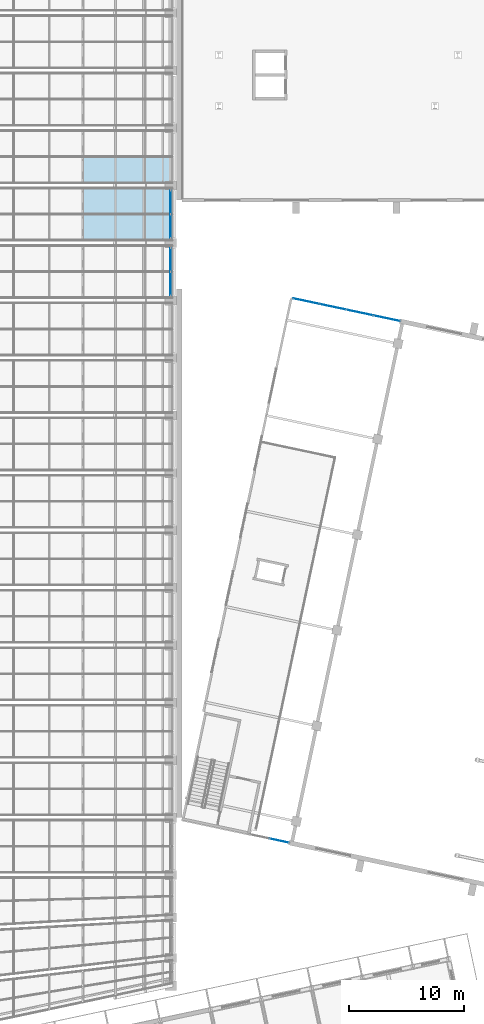
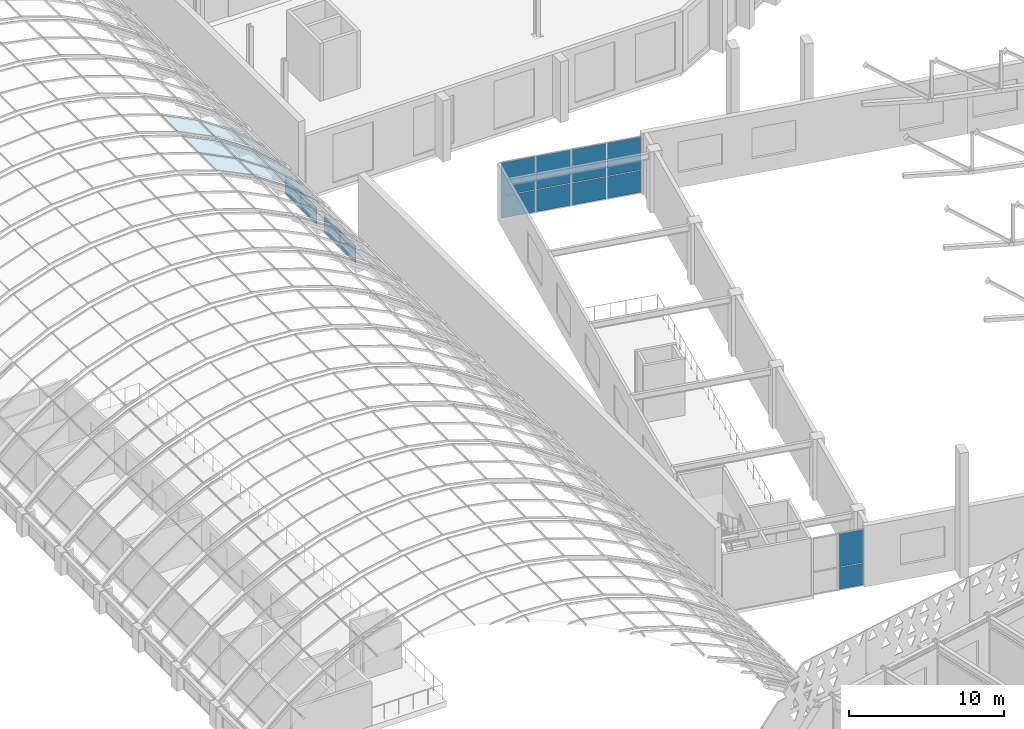
# One storey, part 111 of 182: 23 plates, 6 elements without a shape of their own.
"""IFC4 building model written with IfcOpenShell, lengths in metres."""

from ifc_helpers import new_model, si_unit, direction, frame, origin, origin_2d, place, context, subcontext, project, spatial, polyline, rectangle, outline, extrude, material, layer, layer_set, type_object, element, aggregate, save


model = new_model("IFC4")

# Units and contexts
model_context = context("Model", 3, precision=1e-05, world=origin(), true_north=direction((0.0, 1.0)))
body_context = subcontext(model_context, "Body", "Model", "MODEL_VIEW")
ifc_project = project(units=[si_unit("LENGTHUNIT", "METRE"), si_unit("AREAUNIT", "SQUARE_METRE"), si_unit("VOLUMEUNIT", "CUBIC_METRE"), si_unit("PLANEANGLEUNIT", "RADIAN"), si_unit("MASSUNIT", "GRAM", prefix="KILO")], contexts=[model_context])

# Site, building, storey
site_placement = place(None, origin())
site = spatial("IfcSite", under=ifc_project, at=site_placement, CompositionType="ELEMENT")
building_placement = place(site_placement, origin())
building = spatial("IfcBuilding", under=site, at=building_placement, Name="Okhra Congress Centre", CompositionType="ELEMENT")
storey_placement = place(building_placement, frame((0.0, 0.0, 7.199951171875)))
storey = spatial("IfcBuildingStorey", under=building, at=storey_placement, Name="L01", CompositionType="ELEMENT", Elevation=7.199951171875)

# Curtain wall, plates
ifc_material_1 = material(Name="Aluminium curtain wall, triple glazing", Category="aluminium")
curtain_wall_type_1 = type_object("IfcCurtainWallType", Name="Curtain wall 2100 module", PredefinedType="NOTDEFINED", material=ifc_material_1)
curtain_wall_1_placement = place(storey_placement, origin())
curtain_wall_1 = element("IfcCurtainWall", 1, at=curtain_wall_1_placement, inside=storey, type_object=curtain_wall_type_1, Name="East bay 5 clerestory glazing", PredefinedType="NOTDEFINED")
ifc_material_2 = material(Name="Triple glazing unit, low-e coating, argon fill", Category="glass")
ifc_layer_1 = layer(ifc_material_2, 0.028076171875)
ifc_layer_set_1 = layer_set([ifc_layer_1], Name="Curtain wall glazing unit 28")
plate_type_1 = type_object("IfcPlateType", Name="Curtain wall glazing unit 28", PredefinedType="CURTAIN_PANEL", material=ifc_layer_set_1)
plate_1_placement = place(storey_placement, frame((189.0, 142.465087890625, 0.06005859375), z_axis=(0.0, 0.0, 1.0), x_axis=(0.0, 1.0, 0.0)))
plate_1 = element("IfcPlate", 2, at=plate_1_placement, type_object=plate_type_1, Name="CW4 panel 1.1", PredefinedType="CURTAIN_PANEL", context=body_context, shape_type="SweptSolid", body=[
    extrude(rectangle(XDim=2.010009765625, YDim=0.028076171875, at=origin_2d()), origin(), (0.0, 0.0, 1.0), 1.3798828125),
])
plate_2_placement = place(storey_placement, frame((189.0, 144.534912109375, 0.06005859375), z_axis=(0.0, 0.0, 1.0), x_axis=(0.0, 1.0, 0.0)))
plate_2 = element("IfcPlate", 3, at=plate_2_placement, type_object=plate_type_1, Name="CW4 panel 2.1", PredefinedType="CURTAIN_PANEL", context=body_context, shape_type="SweptSolid", body=[
    extrude(rectangle(XDim=2.010009765625, YDim=0.028076171875, at=origin_2d()), origin(), (0.0, 0.0, 1.0), 1.3798828125),
])
aggregate(curtain_wall_1, [plate_1, plate_2])

curtain_wall_2_placement = place(storey_placement, origin())
curtain_wall_2 = element("IfcCurtainWall", 4, at=curtain_wall_2_placement, inside=storey, type_object=curtain_wall_type_1, Name="East bay 6 clerestory glazing", PredefinedType="NOTDEFINED")
plate_3_placement = place(storey_placement, frame((189.0, 147.465087890625, 0.06005859375), z_axis=(0.0, 0.0, 1.0), x_axis=(0.0, 1.0, 0.0)))
plate_3 = element("IfcPlate", 5, at=plate_3_placement, type_object=plate_type_1, Name="CW4 panel 1.1", PredefinedType="CURTAIN_PANEL", context=body_context, shape_type="SweptSolid", body=[
    extrude(rectangle(XDim=2.010009765625, YDim=0.028076171875, at=origin_2d()), origin(), (0.0, 0.0, 1.0), 1.3798828125),
])
plate_4_placement = place(storey_placement, frame((189.0, 149.534912109375, 0.06005859375), z_axis=(0.0, 0.0, 1.0), x_axis=(0.0, 1.0, 0.0)))
plate_4 = element("IfcPlate", 6, at=plate_4_placement, type_object=plate_type_1, Name="CW4 panel 2.1", PredefinedType="CURTAIN_PANEL", context=body_context, shape_type="SweptSolid", body=[
    extrude(rectangle(XDim=2.010009765625, YDim=0.028076171875, at=origin_2d()), origin(), (0.0, 0.0, 1.0), 1.3798828125),
])
aggregate(curtain_wall_2, [plate_3, plate_4])

curtain_wall_type_2 = type_object("IfcCurtainWallType", Name="Curtain wall 1775 module", PredefinedType="NOTDEFINED", material=ifc_material_1)
curtain_wall_3_placement = place(storey_placement, origin())
curtain_wall_3 = element("IfcCurtainWall", 7, at=curtain_wall_3_placement, inside=storey, type_object=curtain_wall_type_2, Name="Foyer south upper glazing", PredefinedType="NOTDEFINED")
plate_5_placement = place(storey_placement, frame((198.4658203125, 93.99609375, 0.06005859375), z_axis=(0.0, 0.0, 1.0), x_axis=(0.978147600734, -0.207911690818, 0.0)))
plate_5 = element("IfcPlate", 8, at=plate_5_placement, type_object=plate_type_1, Name="CW5 panel 2.1", PredefinedType="CURTAIN_PANEL", context=body_context, shape_type="SweptSolid", body=[
    extrude(rectangle(XDim=1.68505859375, YDim=0.028076171875, at=origin_2d()), origin(), (0.0, 0.0, 1.0), 1.7099609375),
])
plate_6_placement = place(storey_placement, frame((198.4658203125, 93.99609375, 1.830078125), z_axis=(0.0, 0.0, 1.0), x_axis=(0.978147600734, -0.207911690818, 0.0)))
plate_6 = element("IfcPlate", 9, at=plate_6_placement, type_object=plate_type_1, Name="CW5 panel 2.2", PredefinedType="CURTAIN_PANEL", context=body_context, shape_type="SweptSolid", body=[
    extrude(rectangle(XDim=1.68505859375, YDim=0.028076171875, at=origin_2d()), origin(), (0.0, 0.0, 1.0), 2.590087890625),
])
aggregate(curtain_wall_3, [plate_5, plate_6])

curtain_wall_type_3 = type_object("IfcCurtainWallType", Name="Curtain wall 2400 module", PredefinedType="NOTDEFINED", material=ifc_material_1)
curtain_wall_4_placement = place(storey_placement, origin())
curtain_wall_4 = element("IfcCurtainWall", 10, at=curtain_wall_4_placement, inside=storey, type_object=curtain_wall_type_3, Name="Foyer north upper glazing", PredefinedType="NOTDEFINED")
plate_7_placement = place(storey_placement, frame((200.7939453125, 140.937744140625, 0.06005859375), z_axis=(0.0, 0.0, 1.0), x_axis=(0.978147600734, -0.207911690818, 0.0)))
plate_7 = element("IfcPlate", 11, at=plate_7_placement, type_object=plate_type_1, Name="CW6 panel 1.1", PredefinedType="CURTAIN_PANEL", context=body_context, shape_type="SweptSolid", body=[
    extrude(rectangle(XDim=2.31005859375, YDim=0.028076171875, at=origin_2d()), origin(), (0.0, 0.0, 1.0), 1.7099609375),
])
plate_8_placement = place(storey_placement, frame((200.7939453125, 140.937744140625, 1.830078125), z_axis=(0.0, 0.0, 1.0), x_axis=(0.978147600734, -0.207911690818, 0.0)))
plate_8 = element("IfcPlate", 12, at=plate_8_placement, type_object=plate_type_1, Name="CW6 panel 1.2", PredefinedType="CURTAIN_PANEL", context=body_context, shape_type="SweptSolid", body=[
    extrude(rectangle(XDim=2.31005859375, YDim=0.028076171875, at=origin_2d()), origin(), (0.0, 0.0, 1.0), 2.590087890625),
])
plate_9_placement = place(storey_placement, frame((203.126953125, 140.44189453125, 0.06005859375), z_axis=(0.0, 0.0, 1.0), x_axis=(0.978147600734, -0.207911690818, 0.0)))
plate_9 = element("IfcPlate", 13, at=plate_9_placement, type_object=plate_type_1, Name="CW6 panel 2.1", PredefinedType="CURTAIN_PANEL", context=body_context, shape_type="SweptSolid", body=[
    extrude(rectangle(XDim=2.340087890625, YDim=0.028076171875, at=origin_2d()), origin(), (0.0, 0.0, 1.0), 1.7099609375),
])
plate_10_placement = place(storey_placement, frame((203.126953125, 140.44189453125, 1.830078125), z_axis=(0.0, 0.0, 1.0), x_axis=(0.978147600734, -0.207911690818, 0.0)))
plate_10 = element("IfcPlate", 14, at=plate_10_placement, type_object=plate_type_1, Name="CW6 panel 2.2", PredefinedType="CURTAIN_PANEL", context=body_context, shape_type="SweptSolid", body=[
    extrude(rectangle(XDim=2.340087890625, YDim=0.028076171875, at=origin_2d()), origin(), (0.0, 0.0, 1.0), 2.590087890625),
])
plate_11_placement = place(storey_placement, frame((205.474365234375, 139.94287109375, 0.06005859375), z_axis=(0.0, 0.0, 1.0), x_axis=(0.978147600734, -0.207911690818, 0.0)))
plate_11 = element("IfcPlate", 15, at=plate_11_placement, type_object=plate_type_1, Name="CW6 panel 3.1", PredefinedType="CURTAIN_PANEL", context=body_context, shape_type="SweptSolid", body=[
    extrude(rectangle(XDim=2.340087890625, YDim=0.028076171875, at=origin_2d()), origin(), (0.0, 0.0, 1.0), 1.7099609375),
])
plate_12_placement = place(storey_placement, frame((205.474365234375, 139.94287109375, 1.830078125), z_axis=(0.0, 0.0, 1.0), x_axis=(0.978147600734, -0.207911690818, 0.0)))
plate_12 = element("IfcPlate", 16, at=plate_12_placement, type_object=plate_type_1, Name="CW6 panel 3.2", PredefinedType="CURTAIN_PANEL", context=body_context, shape_type="SweptSolid", body=[
    extrude(rectangle(XDim=2.340087890625, YDim=0.028076171875, at=origin_2d()), origin(), (0.0, 0.0, 1.0), 2.590087890625),
])
plate_13_placement = place(storey_placement, frame((207.807373046875, 139.447021484375, 0.06005859375), z_axis=(0.0, 0.0, 1.0), x_axis=(0.978147600734, -0.207911690818, 0.0)))
plate_13 = element("IfcPlate", 17, at=plate_13_placement, type_object=plate_type_1, Name="CW6 panel 4.1", PredefinedType="CURTAIN_PANEL", context=body_context, shape_type="SweptSolid", body=[
    extrude(rectangle(XDim=2.31005859375, YDim=0.028076171875, at=origin_2d()), origin(), (0.0, 0.0, 1.0), 1.7099609375),
])
plate_14_placement = place(storey_placement, frame((207.807373046875, 139.447021484375, 1.830078125), z_axis=(0.0, 0.0, 1.0), x_axis=(0.978147600734, -0.207911690818, 0.0)))
plate_14 = element("IfcPlate", 18, at=plate_14_placement, type_object=plate_type_1, Name="CW6 panel 4.2", PredefinedType="CURTAIN_PANEL", context=body_context, shape_type="SweptSolid", body=[
    extrude(rectangle(XDim=2.31005859375, YDim=0.028076171875, at=origin_2d()), origin(), (0.0, 0.0, 1.0), 2.590087890625),
])
aggregate(curtain_wall_4, [plate_7, plate_8, plate_9, plate_10, plate_11, plate_12, plate_13, plate_14])

ifc_material_3 = material(Name="Aluminium frame with triple glazing", Category="aluminium")
curtain_wall_type_4 = type_object("IfcCurtainWallType", Name="Glazed vault bay curtain wall", PredefinedType="NOTDEFINED", material=ifc_material_3)
curtain_wall_5_placement = place(storey_placement, origin())
curtain_wall_5 = element("IfcCurtainWall", 19, at=curtain_wall_5_placement, inside=storey, type_object=curtain_wall_type_4, Name="Vault glazing bay 15", PredefinedType="NOTDEFINED")
ifc_material_4 = material(Name="Laminated toughened glass unit, low-e coating", Category="glass")
ifc_layer_2 = layer(ifc_material_4, 0.035888671875)
ifc_layer_set_2 = layer_set([ifc_layer_2], Name="Laminated safety glazing unit 36 mm")
plate_type_2 = type_object("IfcPlateType", Name="Laminated safety glazing unit 36 mm", PredefinedType="CURTAIN_PANEL", material=ifc_layer_set_2)
plate_15_placement = place(storey_placement, frame((184.217529296875, 146.26318359375, 5.729248046875), z_axis=(0.55946738617, 0.0, 0.82885236551), x_axis=(0.82885236551, 0.0, -0.55946738617)))
plate_15 = element("IfcPlate", 20, at=plate_15_placement, type_object=plate_type_2, Name="Vault glass panel 15.1.11", PredefinedType="CURTAIN_PANEL", context=body_context, shape_type="SweptSolid", body=[
    extrude(outline(polyline([(0.0, 0.0), (3.0668817430899797, 0.0), (3.0668817430899797, 2.206787109375), (0.0, 2.206787109375), (0.0, 0.0)])), origin(), (0.0, 0.0, -1.0), 0.035888671875),
])
plate_16_placement = place(storey_placement, frame((186.806640625, 146.26318359375, 3.976806640625), z_axis=(0.663696509452, 0.0, 0.748001967472), x_axis=(0.748001967472, 0.0, -0.663696509452)))
plate_16 = element("IfcPlate", 21, at=plate_16_placement, type_object=plate_type_2, Name="Vault glass panel 15.1.12", PredefinedType="CURTAIN_PANEL", context=body_context, shape_type="SweptSolid", body=[
    extrude(outline(polyline([(0.0, 0.0), (3.066763741617069, 0.0), (3.066763741617069, 2.206787109375), (0.0, 2.206787109375), (0.0, 0.0)])), origin(), (0.0, 0.0, -1.0), 0.035888671875),
])
plate_17_placement = place(storey_placement, frame((184.217529296875, 148.530029296875, 5.729248046875), z_axis=(0.55946738617, 0.0, 0.82885236551), x_axis=(0.82885236551, 0.0, -0.55946738617)))
plate_17 = element("IfcPlate", 22, at=plate_17_placement, type_object=plate_type_2, Name="Vault glass panel 15.2.11", PredefinedType="CURTAIN_PANEL", context=body_context, shape_type="SweptSolid", body=[
    extrude(outline(polyline([(0.0, 0.0), (3.0668817430899797, 0.0), (3.0668817430899797, 2.206787109375), (0.0, 2.206787109375), (0.0, 0.0)])), origin(), (0.0, 0.0, -1.0), 0.035888671875),
])
plate_18_placement = place(storey_placement, frame((186.806640625, 148.530029296875, 3.976806640625), z_axis=(0.663696509452, 0.0, 0.748001967472), x_axis=(0.748001967472, 0.0, -0.663696509452)))
plate_18 = element("IfcPlate", 23, at=plate_18_placement, type_object=plate_type_2, Name="Vault glass panel 15.2.12", PredefinedType="CURTAIN_PANEL", context=body_context, shape_type="SweptSolid", body=[
    extrude(outline(polyline([(0.0, 0.0), (3.066763741617069, 0.0), (3.066763741617069, 2.206787109375), (0.0, 2.206787109375), (0.0, 0.0)])), origin(), (0.0, 0.0, -1.0), 0.035888671875),
])

curtain_wall_6_placement = place(storey_placement, origin())
curtain_wall_6 = element("IfcCurtainWall", 24, at=curtain_wall_6_placement, inside=storey, type_object=curtain_wall_type_4, Name="Vault glazing bay 16", PredefinedType="NOTDEFINED")
plate_19_placement = place(storey_placement, frame((184.217529296875, 151.26318359375, 5.729248046875), z_axis=(0.55946738617, 0.0, 0.82885236551), x_axis=(0.82885236551, 0.0, -0.55946738617)))
plate_19 = element("IfcPlate", 25, at=plate_19_placement, type_object=plate_type_2, Name="Vault glass panel 16.1.11", PredefinedType="CURTAIN_PANEL", context=body_context, shape_type="SweptSolid", body=[
    extrude(outline(polyline([(0.0, 0.0), (3.0668817430899797, 0.0), (3.0668817430899797, 2.206787109375), (0.0, 2.206787109375), (0.0, 0.0)])), origin(), (0.0, 0.0, -1.0), 0.035888671875),
])
plate_20_placement = place(storey_placement, frame((186.806640625, 151.26318359375, 3.976806640625), z_axis=(0.663696509452, 0.0, 0.748001967472), x_axis=(0.748001967472, 0.0, -0.663696509452)))
plate_20 = element("IfcPlate", 26, at=plate_20_placement, type_object=plate_type_2, Name="Vault glass panel 16.1.12", PredefinedType="CURTAIN_PANEL", context=body_context, shape_type="SweptSolid", body=[
    extrude(outline(polyline([(0.0, 0.0), (3.066763741617069, 0.0), (3.066763741617069, 2.206787109375), (0.0, 2.206787109375), (0.0, 0.0)])), origin(), (0.0, 0.0, -1.0), 0.035888671875),
])

# Plate
ifc_material_5 = material(Name="Toughened triple glazed unit")
ifc_layer_3 = layer(ifc_material_5, 0.028076171875)
ifc_layer_set_3 = layer_set([ifc_layer_3], Name="Triple glazed unit 28 mm")
plate_type_3 = type_object("IfcPlateType", Name="Triple glazed unit 28 mm", PredefinedType="CURTAIN_PANEL", material=ifc_layer_set_3)
plate_21_placement = place(storey_placement, frame((181.4189453125, 146.26318359375, 7.122314453125), z_axis=(0.445588482535, 0.0, 0.895237903706), x_axis=(0.895237903706, 0.0, -0.445588482535)))
plate_21 = element("IfcPlate", 27, at=plate_21_placement, type_object=plate_type_3, Name="Vault glass panel 15.1.10", PredefinedType="CURTAIN_PANEL", context=body_context, shape_type="SweptSolid", body=[
    extrude(outline(polyline([(0.0, 0.0), (3.066082250887193, 0.0), (3.066082250887193, 2.206787109375), (0.0, 2.206787109375), (0.0, 0.0)])), origin(), (0.0, 0.0, -1.0), 0.028076171875),
])

plate_22_placement = place(storey_placement, frame((181.4189453125, 148.530029296875, 7.122314453125), z_axis=(0.445588482535, 0.0, 0.895237903706), x_axis=(0.895237903706, 0.0, -0.445588482535)))
plate_22 = element("IfcPlate", 28, at=plate_22_placement, type_object=plate_type_3, Name="Vault glass panel 15.2.10", PredefinedType="CURTAIN_PANEL", context=body_context, shape_type="SweptSolid", body=[
    extrude(outline(polyline([(0.0, 0.0), (3.066082250887193, 0.0), (3.066082250887193, 2.206787109375), (0.0, 2.206787109375), (0.0, 0.0)])), origin(), (0.0, 0.0, -1.0), 0.028076171875),
])

aggregate(curtain_wall_5, [plate_21, plate_15, plate_16, plate_22, plate_17, plate_18])

plate_23_placement = place(storey_placement, frame((181.4189453125, 151.26318359375, 7.122314453125), z_axis=(0.445588482535, 0.0, 0.895237903706), x_axis=(0.895237903706, 0.0, -0.445588482535)))
plate_23 = element("IfcPlate", 29, at=plate_23_placement, type_object=plate_type_3, Name="Vault glass panel 16.1.10", PredefinedType="CURTAIN_PANEL", context=body_context, shape_type="SweptSolid", body=[
    extrude(outline(polyline([(0.0, 0.0), (3.066082250887193, 0.0), (3.066082250887193, 2.206787109375), (0.0, 2.206787109375), (0.0, 0.0)])), origin(), (0.0, 0.0, -1.0), 0.028076171875),
])

aggregate(curtain_wall_6, [plate_23, plate_19, plate_20])

save(model, "model.ifc")
